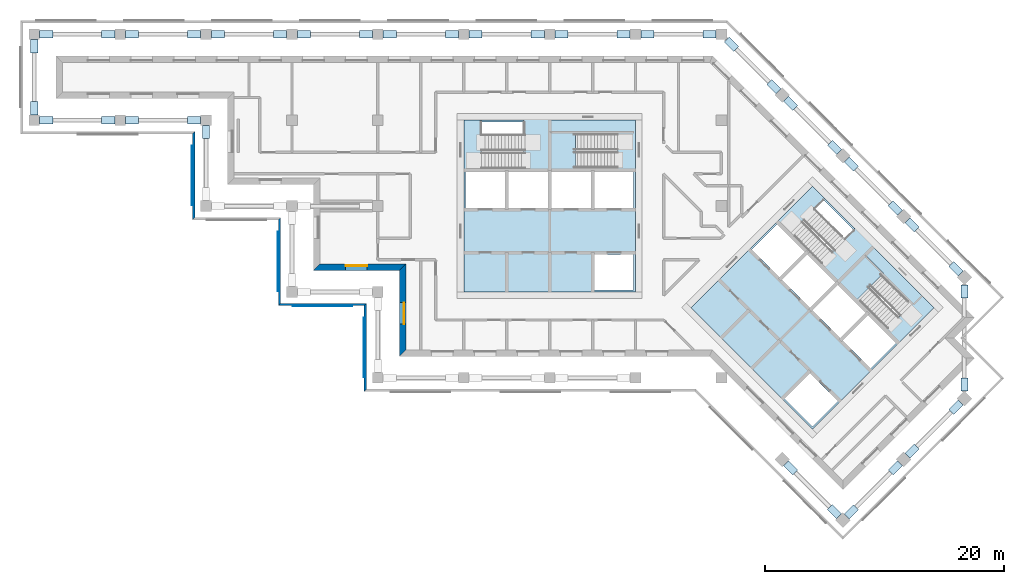
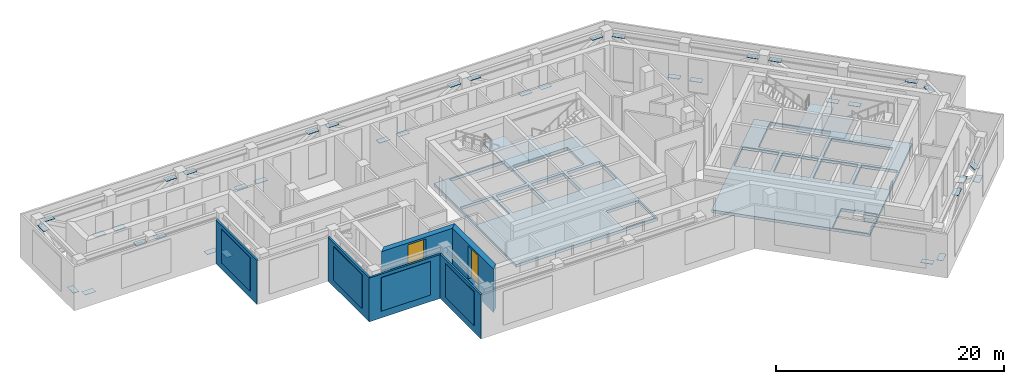
# One storey, part 2 of 10: 43 plates, 6 slabs, 6 walls, 2 windows, 16 openings, 4 elements without a shape of their own.
"""IFC4 building model written with IfcOpenShell, lengths in metres."""

from ifc_helpers import new_model, si_unit, direction, frame, frame_2d, origin, origin_2d, place, context, subcontext, project, spatial, polyline, rectangle, outline, extrude, material, layer, layer_set, type_object, element, fill, aggregate, save


model = new_model("IFC4")

# Units and contexts
model_context = context("Model", 3, precision=1e-05, world=origin(), true_north=direction((0.0, 1.0)))
body_context = subcontext(model_context, "Body", "Model", "MODEL_VIEW")
ifc_project = project(units=[si_unit("LENGTHUNIT", "METRE"), si_unit("AREAUNIT", "SQUARE_METRE"), si_unit("VOLUMEUNIT", "CUBIC_METRE"), si_unit("PLANEANGLEUNIT", "RADIAN"), si_unit("MASSUNIT", "GRAM", prefix="KILO")], contexts=[model_context])

# Plate
ifc_material_1 = material(Name="Aluminium louvre", Category="aluminium")
ifc_layer_1 = layer(ifc_material_1, 0.05)
ifc_layer_set_1 = layer_set([ifc_layer_1], Name="Belt louvre panel 5000x3600")
plate_type_1 = type_object("IfcPlateType", Name="Belt louvre panel 5000x3600", PredefinedType="SHEET", material=ifc_layer_set_1)
site_placement = place(None, origin())
building_placement = place(site_placement, origin())
storey_placement = place(building_placement, frame((0.0, 0.0, 180.4)))
plate_1_placement = place(storey_placement, frame((34.8, 62.65, 0.75), z_axis=(-1.0, 0.0, 0.0), x_axis=(0.0, -1.0, 0.0)))
plate_1 = element("IfcPlate", 1, at=plate_1_placement, type_object=plate_type_1, Name="Belt louvre panel L49 43.1", PredefinedType="SHEET", context=body_context, shape_type="SweptSolid", body=[
    extrude(outline(polyline([(0.0, 0.0), (5.0, 0.0), (5.0, 3.6), (0.0, 3.6), (0.0, 0.0)])), origin(), (0.0, 0.0, -1.0), 0.05),
])

plate_2_placement = place(storey_placement, frame((42.0, 55.45, 0.75), z_axis=(-1.0, 0.0, 0.0), x_axis=(0.0, -1.0, 0.0)))
plate_2 = element("IfcPlate", 2, at=plate_2_placement, type_object=plate_type_1, Name="Belt louvre panel L49 51.1", PredefinedType="SHEET", context=body_context, shape_type="SweptSolid", body=[
    extrude(outline(polyline([(0.0, 0.0), (5.0, 0.0), (5.0, 3.6), (0.0, 3.6), (0.0, 0.0)])), origin(), (0.0, 0.0, -1.0), 0.05),
])

plate_3_placement = place(storey_placement, frame((43.25, 49.2, 0.75), z_axis=(0.0, -1.0, 0.0), x_axis=(1.0, 0.0, 0.0)))
plate_3 = element("IfcPlate", 3, at=plate_3_placement, type_object=plate_type_1, Name="Belt louvre panel L49 55.1", PredefinedType="SHEET", context=body_context, shape_type="SweptSolid", body=[
    extrude(outline(polyline([(0.0, 0.0), (5.0, 0.0), (5.0, 3.6), (0.0, 3.6), (0.0, 0.0)])), origin(), (0.0, 0.0, -1.0), 0.05),
])

plate_4_placement = place(storey_placement, frame((49.2, 48.25, 0.75), z_axis=(-1.0, 0.0, 0.0), x_axis=(0.0, -1.0, 0.0)))
plate_4 = element("IfcPlate", 4, at=plate_4_placement, type_object=plate_type_1, Name="Belt louvre panel L49 59.1", PredefinedType="SHEET", context=body_context, shape_type="SweptSolid", body=[
    extrude(outline(polyline([(0.0, 0.0), (5.0, 0.0), (5.0, 3.6), (0.0, 3.6), (0.0, 0.0)])), origin(), (0.0, 0.0, -1.0), 0.05),
])

# Site, building, storey
site = spatial("IfcSite", under=ifc_project, at=site_placement, CompositionType="ELEMENT")
building = spatial("IfcBuilding", under=site, at=building_placement, Name="Windrow Commons", CompositionType="ELEMENT")
storey = spatial("IfcBuildingStorey", under=building, at=storey_placement, Name="L49", CompositionType="ELEMENT", Elevation=180.4)

# Slab, openings
ifc_material_2 = material(Name="Concrete C50/60", Category="concrete")
ifc_layer_2 = layer(ifc_material_2, 0.3)
ifc_layer_set_2 = layer_set([ifc_layer_2], Name="CORE FLOOR SLAB 300 C50/60")
slab_type_1 = type_object("IfcSlabType", Name="CORE FLOOR SLAB 300 C50/60", PredefinedType="FLOOR", material=ifc_layer_set_2)
placement_1 = place(storey_placement, frame((0.0, 0.0, -0.3)))
slab_1 = element("IfcSlab", 5, at=placement_1, inside=storey, type_object=slab_type_1, Name="S-L49-core-A", PredefinedType="FLOOR", context=body_context, shape_type="SweptSolid", body=[
    extrude(outline(polyline([(57.6, 50.4), (72.0, 50.4), (72.0, 64.8), (57.6, 64.8), (57.6, 50.4)]), holes=[polyline([(68.55, 50.55), (71.85, 50.55), (71.85, 53.55), (68.55, 53.55), (68.55, 50.55)]), polyline([(57.75, 57.45), (61.05, 57.45), (61.05, 60.45), (57.75, 60.45), (57.75, 57.45)]), polyline([(61.35, 57.45), (64.65, 57.45), (64.65, 60.45), (61.35, 60.45), (61.35, 57.45)]), polyline([(64.95, 57.45), (68.25, 57.45), (68.25, 60.45), (64.95, 60.45), (64.95, 57.45)]), polyline([(68.55, 57.45), (71.85, 57.45), (71.85, 60.45), (68.55, 60.45), (68.55, 57.45)]), polyline([(59.1, 60.75), (64.65, 60.75), (64.65, 64.65), (59.1, 64.65), (59.1, 60.75)]), polyline([(64.95, 60.75), (70.5, 60.75), (70.5, 63.705), (64.95, 63.705), (64.95, 60.75)])]), origin(), (0.0, 0.0, 1.0), 0.3),
])
opening_1_placement = place(placement_1, origin())
element("IfcOpeningElement", 6, at=opening_1_placement, cuts=slab_1, Name="Slab opening S-L49-core-A 1", PredefinedType="OPENING", context=body_context, shape_type="SweptSolid", body=[
    extrude(outline(polyline([(68.555, 50.555), (68.555, 53.545), (71.845, 53.545), (71.845, 50.555), (68.555, 50.555)])), origin(), (0.0, 0.0, 1.0), 0.3),
])
opening_2_placement = place(placement_1, origin())
element("IfcOpeningElement", 7, at=opening_2_placement, cuts=slab_1, Name="Slab opening S-L49-core-A 2", PredefinedType="OPENING", context=body_context, shape_type="SweptSolid", body=[
    extrude(outline(polyline([(57.755, 57.455), (57.755, 60.445), (61.045, 60.445), (61.045, 57.455), (57.755, 57.455)])), origin(), (0.0, 0.0, 1.0), 0.3),
])
opening_3_placement = place(placement_1, origin())
element("IfcOpeningElement", 8, at=opening_3_placement, cuts=slab_1, Name="Slab opening S-L49-core-A 3", PredefinedType="OPENING", context=body_context, shape_type="SweptSolid", body=[
    extrude(outline(polyline([(61.355, 57.455), (61.355, 60.445), (64.645, 60.445), (64.645, 57.455), (61.355, 57.455)])), origin(), (0.0, 0.0, 1.0), 0.3),
])
opening_4_placement = place(placement_1, origin())
element("IfcOpeningElement", 9, at=opening_4_placement, cuts=slab_1, Name="Slab opening S-L49-core-A 4", PredefinedType="OPENING", context=body_context, shape_type="SweptSolid", body=[
    extrude(outline(polyline([(64.955, 57.455), (64.955, 60.445), (68.245, 60.445), (68.245, 57.455), (64.955, 57.455)])), origin(), (0.0, 0.0, 1.0), 0.3),
])
opening_5_placement = place(placement_1, origin())
element("IfcOpeningElement", 10, at=opening_5_placement, cuts=slab_1, Name="Slab opening S-L49-core-A 5", PredefinedType="OPENING", context=body_context, shape_type="SweptSolid", body=[
    extrude(outline(polyline([(68.555, 57.455), (68.555, 60.445), (71.845, 60.445), (71.845, 57.455), (68.555, 57.455)])), origin(), (0.0, 0.0, 1.0), 0.3),
])
opening_6_placement = place(placement_1, origin())
element("IfcOpeningElement", 11, at=opening_6_placement, cuts=slab_1, Name="Slab opening S-L49-core-A 6", PredefinedType="OPENING", context=body_context, shape_type="SweptSolid", body=[
    extrude(outline(polyline([(59.105, 60.755), (59.105, 64.645), (64.645, 64.645), (64.645, 60.755), (59.105, 60.755)])), origin(), (0.0, 0.0, 1.0), 0.3),
])
opening_7_placement = place(placement_1, origin())
element("IfcOpeningElement", 12, at=opening_7_placement, cuts=slab_1, Name="Slab opening S-L49-core-A 7", PredefinedType="OPENING", context=body_context, shape_type="SweptSolid", body=[
    extrude(outline(polyline([(64.955, 60.755), (64.955, 63.7), (70.495, 63.7), (70.495, 60.755), (64.955, 60.755)])), origin(), (0.0, 0.0, 1.0), 0.3),
])

slab_2 = element("IfcSlab", 13, at=placement_1, inside=storey, type_object=slab_type_1, Name="S-L49-core-B", PredefinedType="FLOOR", context=body_context, shape_type="SweptSolid", body=[
    extrude(outline(polyline([(76.6544, 49.0897), (86.8368, 38.9074), (97.0191, 49.0897), (86.8368, 59.2721), (76.6544, 49.0897)]), holes=[polyline([(84.5033, 41.453), (86.8368, 39.1195), (88.9581, 41.2409), (86.6246, 43.5743), (84.5033, 41.453)]), polyline([(81.7456, 53.9688), (84.079, 51.6353), (86.2004, 53.7566), (83.8669, 56.0901), (81.7456, 53.9688)]), polyline([(84.2912, 51.4232), (86.6246, 49.0897), (88.7459, 51.2111), (86.4125, 53.5445), (84.2912, 51.4232)]), polyline([(86.8368, 48.8776), (89.1702, 46.5442), (91.2915, 48.6655), (88.9581, 50.9989), (86.8368, 48.8776)]), polyline([(89.3823, 46.332), (91.7158, 43.9986), (93.8371, 46.1199), (91.5037, 48.4533), (89.3823, 46.332)]), polyline([(85.0336, 55.3476), (88.9581, 51.4232), (91.7158, 54.1809), (87.7913, 58.1054), (85.0336, 55.3476)]), polyline([(89.1702, 51.2111), (93.0946, 47.2866), (95.1841, 49.3761), (91.2597, 53.3006), (89.1702, 51.2111)])]), origin(), (0.0, 0.0, 1.0), 0.3),
])
opening_8_placement = place(placement_1, origin())
element("IfcOpeningElement", 14, at=opening_8_placement, cuts=slab_2, Name="Slab opening S-L49-core-B 1", PredefinedType="OPENING", context=body_context, shape_type="SweptSolid", body=[
    extrude(outline(polyline([(84.5104, 41.453), (86.6246, 43.5672), (88.951, 41.2409), (86.8368, 39.1266), (84.5104, 41.453)])), origin(), (0.0, 0.0, 1.0), 0.3),
])
opening_9_placement = place(placement_1, origin())
element("IfcOpeningElement", 15, at=opening_9_placement, cuts=slab_2, Name="Slab opening S-L49-core-B 2", PredefinedType="OPENING", context=body_context, shape_type="SweptSolid", body=[
    extrude(outline(polyline([(81.7527, 53.9688), (83.8669, 56.083), (86.1933, 53.7566), (84.079, 51.6424), (81.7527, 53.9688)])), origin(), (0.0, 0.0, 1.0), 0.3),
])
opening_10_placement = place(placement_1, origin())
element("IfcOpeningElement", 16, at=opening_10_placement, cuts=slab_2, Name="Slab opening S-L49-core-B 3", PredefinedType="OPENING", context=body_context, shape_type="SweptSolid", body=[
    extrude(outline(polyline([(84.2983, 51.4232), (86.4125, 53.5374), (88.7388, 51.2111), (86.6246, 49.0968), (84.2983, 51.4232)])), origin(), (0.0, 0.0, 1.0), 0.3),
])
opening_11_placement = place(placement_1, origin())
element("IfcOpeningElement", 17, at=opening_11_placement, cuts=slab_2, Name="Slab opening S-L49-core-B 4", PredefinedType="OPENING", context=body_context, shape_type="SweptSolid", body=[
    extrude(outline(polyline([(86.8439, 48.8776), (88.9581, 50.9918), (91.2844, 48.6655), (89.1702, 46.5513), (86.8439, 48.8776)])), origin(), (0.0, 0.0, 1.0), 0.3),
])
opening_12_placement = place(placement_1, origin())
element("IfcOpeningElement", 18, at=opening_12_placement, cuts=slab_2, Name="Slab opening S-L49-core-B 5", PredefinedType="OPENING", context=body_context, shape_type="SweptSolid", body=[
    extrude(outline(polyline([(89.3894, 46.332), (91.5037, 48.4462), (93.83, 46.1199), (91.7158, 44.0057), (89.3894, 46.332)])), origin(), (0.0, 0.0, 1.0), 0.3),
])
opening_13_placement = place(placement_1, origin())
element("IfcOpeningElement", 19, at=opening_13_placement, cuts=slab_2, Name="Slab opening S-L49-core-B 6", PredefinedType="OPENING", context=body_context, shape_type="SweptSolid", body=[
    extrude(outline(polyline([(85.0407, 55.3476), (87.7913, 58.0983), (91.7087, 54.1809), (88.9581, 51.4303), (85.0407, 55.3476)])), origin(), (0.0, 0.0, 1.0), 0.3),
])
opening_14_placement = place(placement_1, origin())
element("IfcOpeningElement", 20, at=opening_14_placement, cuts=slab_2, Name="Slab opening S-L49-core-B 7", PredefinedType="OPENING", context=body_context, shape_type="SweptSolid", body=[
    extrude(outline(polyline([(89.1773, 51.2111), (91.2597, 53.2935), (95.177, 49.3761), (93.0946, 47.2937), (89.1773, 51.2111)])), origin(), (0.0, 0.0, 1.0), 0.3),
])

# Stair, slab
ifc_material_3 = material(Name="Concrete C40/50", Category="concrete")
stair_type = type_object("IfcStairType", Name="Core stair", PredefinedType="HALF_TURN_STAIR", material=ifc_material_3)
placement_2 = place(storey_placement, origin())
stair_1 = element("IfcStair", 21, at=placement_2, inside=storey, type_object=stair_type, Name="L49 Exit stair A1 core A", PredefinedType="HALF_TURN_STAIR")
ifc_material_4 = material(Name="Concrete C40/50", Category="concrete")
ifc_layer_3 = layer(ifc_material_4, 0.2)
ifc_layer_set_3 = layer_set([ifc_layer_3], Name="Core stair landing")
slab_type_2 = type_object("IfcSlabType", Name="Core stair landing", PredefinedType="LANDING", material=ifc_layer_set_3)
placement_3 = place(storey_placement, frame((0.0, 0.0, 2.3)))
slab_3 = element("IfcSlab", 22, at=placement_3, type_object=slab_type_2, Name="ST-A1 landing 1", PredefinedType="LANDING", context=body_context, shape_type="SweptSolid", body=[
    extrude(outline(polyline([(62.62, 60.5), (64.8, 60.5), (64.8, 64.9), (62.62, 64.9), (62.62, 60.5)])), origin(), (0.0, 0.0, 1.0), 0.2),
])
aggregate(stair_1, [slab_3])

stair_2 = element("IfcStair", 23, at=placement_2, inside=storey, type_object=stair_type, Name="L49 Exit stair A2 core A", PredefinedType="HALF_TURN_STAIR")
slab_4 = element("IfcSlab", 24, at=placement_3, type_object=slab_type_2, Name="ST-A2 landing 1", PredefinedType="LANDING", context=body_context, shape_type="SweptSolid", body=[
    extrude(outline(polyline([(64.8, 60.5), (66.98, 60.5), (66.98, 63.855), (64.8, 63.855), (64.8, 60.5)])), origin(), (0.0, 0.0, 1.0), 0.2),
])
aggregate(stair_2, [slab_4])

stair_3 = element("IfcStair", 25, at=placement_2, inside=storey, type_object=stair_type, Name="L49 Exit stair B1 core B", PredefinedType="HALF_TURN_STAIR")
slab_5 = element("IfcSlab", 26, at=placement_3, type_object=slab_type_2, Name="ST-B1 landing 1", PredefinedType="LANDING", context=body_context, shape_type="SweptSolid", body=[
    extrude(outline(polyline([(87.3459, 52.6819), (88.8874, 51.1403), (91.9986, 54.2516), (90.4571, 55.7931), (87.3459, 52.6819)])), origin(), (0.0, 0.0, 1.0), 0.2),
])
aggregate(stair_3, [slab_5])

stair_4 = element("IfcStair", 27, at=placement_2, inside=storey, type_object=stair_type, Name="L49 Exit stair B2 core B", PredefinedType="HALF_TURN_STAIR")
slab_6 = element("IfcSlab", 28, at=placement_3, type_object=slab_type_2, Name="ST-B2 landing 1", PredefinedType="LANDING", context=body_context, shape_type="SweptSolid", body=[
    extrude(outline(polyline([(88.8874, 51.1403), (90.4289, 49.5989), (92.8012, 51.9712), (91.2597, 53.5127), (88.8874, 51.1403)])), origin(), (0.0, 0.0, 1.0), 0.2),
])
aggregate(stair_4, [slab_6])

# Plates
ifc_material_5 = material(Name="Steel S355", Category="steel")
ifc_layer_4 = layer(ifc_material_5, 0.03)
ifc_layer_set_4 = layer_set([ifc_layer_4], Name="GUSSET PLATE 30 S355")
plate_type_2 = type_object("IfcPlateType", Name="GUSSET PLATE 30 S355", PredefinedType="USERDEFINED", material=ifc_layer_set_4)
for number, where, z_axis, x_axis, name in (
    (29, (36.0, 63.8, 0.6), (0.0, 0.0, 1.0), (0.0, 1.0, 0.0), "Gusset plate L49 belt00 14"),
    (30, (35.0, 64.8, 0.6), (0.0, 0.0, 1.0), (-1.0, 0.0, 0.0), "Gusset plate L49 belt00 15"),
    (31, (29.8, 64.8, 4.07), (0.0, 0.0, 1.0), (-1.0, 0.0, 0.0), "Gusset plate L49 belt00 16"),
    (32, (27.8, 64.8, 4.07), (0.0, 0.0, 1.0), (-1.0, 0.0, 0.0), "Gusset plate L49 belt00 17"),
    (33, (22.6, 64.8, 0.6), (0.0, 0.0, 1.0), (-1.0, 0.0, 0.0), "Gusset plate L49 belt00 18"),
    (34, (21.6, 65.8, 0.6), (0.0, 0.0, 1.0), (0.0, 1.0, 0.0), "Gusset plate L49 belt00 19"),
    (35, (21.6, 71.0, 4.07), (0.0, 0.0, 1.0), (0.0, 1.0, 0.0), "Gusset plate L49 belt00 20"),
    (36, (22.6, 72.0, 4.07), (0.0, 0.0, 1.0), (1.0, 0.0, 0.0), "Gusset plate L49 belt00 21"),
    (37, (27.8, 72.0, 0.6), (0.0, 0.0, 1.0), (1.0, 0.0, 0.0), "Gusset plate L49 belt00 22"),
    (38, (29.8, 72.0, 0.6), (0.0, 0.0, 1.0), (1.0, 0.0, 0.0), "Gusset plate L49 belt00 23"),
    (39, (35.0, 72.0, 4.07), (0.0, 0.0, 1.0), (1.0, 0.0, 0.0), "Gusset plate L49 belt00 24"),
    (40, (37.0, 72.0, 4.07), (0.0, 0.0, 1.0), (1.0, 0.0, 0.0), "Gusset plate L49 belt00 25"),
    (41, (42.2, 72.0, 0.6), (0.0, 0.0, 1.0), (1.0, 0.0, 0.0), "Gusset plate L49 belt00 26"),
    (42, (44.2, 72.0, 0.6), (0.0, 0.0, 1.0), (1.0, 0.0, 0.0), "Gusset plate L49 belt00 27"),
    (43, (49.4, 72.0, 4.07), (0.0, 0.0, 1.0), (1.0, 0.0, 0.0), "Gusset plate L49 belt00 28"),
    (44, (51.4, 72.0, 4.07), (0.0, 0.0, 1.0), (1.0, 0.0, 0.0), "Gusset plate L49 belt00 29"),
    (45, (56.6, 72.0, 0.6), (0.0, 0.0, 1.0), (1.0, 0.0, 0.0), "Gusset plate L49 belt00 30"),
    (46, (58.6, 72.0, 0.6), (0.0, 0.0, 1.0), (1.0, 0.0, 0.0), "Gusset plate L49 belt00 31"),
    (47, (63.8, 72.0, 4.07), (0.0, 0.0, 1.0), (1.0, 0.0, 0.0), "Gusset plate L49 belt00 32"),
    (48, (65.8, 72.0, 4.07), (0.0, 0.0, 1.0), (1.0, 0.0, 0.0), "Gusset plate L49 belt00 33"),
    (49, (71.0, 72.0, 0.6), (0.0, 0.0, 1.0), (1.0, 0.0, 0.0), "Gusset plate L49 belt00 34"),
    (50, (73.0, 72.0, 0.6), (0.0, 0.0, 1.0), (1.0, 0.0, 0.0), "Gusset plate L49 belt00 35"),
    (51, (78.2, 72.0, 4.07), (0.0, 0.0, 1.0), (1.0, 0.0, 0.0), "Gusset plate L49 belt00 36"),
    (52, (80.0389, 71.1611, 4.07), (0.0, 0.0, 1.0), (0.7071067812, -0.7071067812, 0.0), "Gusset plate L49 belt00 37"),
    (53, (83.5841, 67.6159, 0.6), (0.0, 0.0, 1.0), (0.7071067812, -0.7071067812, 0.0), "Gusset plate L49 belt00 38"),
    (54, (84.9983, 66.2017, 0.6), (0.0, 0.0, 1.0), (0.7071067812, -0.7071067812, 0.0), "Gusset plate L49 belt00 39"),
    (55, (88.6752, 62.5248, 4.07), (0.0, 0.0, 1.0), (0.7071067812, -0.7071067812, 0.0), "Gusset plate L49 belt00 40"),
    (56, (90.0894, 61.1106, 4.07), (0.0, 0.0, 1.0), (0.7071067812, -0.7071067812, 0.0), "Gusset plate L49 belt00 41"),
    (57, (93.7664, 57.4336, 0.6), (0.0, 0.0, 1.0), (0.7071067812, -0.7071067812, 0.0), "Gusset plate L49 belt00 42"),
    (58, (95.1806, 56.0194, 0.6), (0.0, 0.0, 1.0), (0.7071067812, -0.7071067812, 0.0), "Gusset plate L49 belt00 43"),
    (59, (98.8576, 52.3424, 4.07), (0.0, 0.0, 1.0), (0.7071067812, -0.7071067812, 0.0), "Gusset plate L49 belt00 44"),
    (60, (99.5647, 50.4489, 4.07), (0.0, 0.0, 1.0), (0.0, -1.0, 0.0), "Gusset plate L49 belt00 45"),
    (61, (99.5647, 42.6394, 0.6), (0.0, 0.0, 1.0), (0.0, -1.0, 0.0), "Gusset plate L49 belt00 46"),
    (62, (98.8576, 40.7459, 0.6), (0.0, 0.0, 1.0), (-0.7071067812, -0.7071067812, 0.0), "Gusset plate L49 belt00 47"),
    (63, (95.1806, 37.0689, 4.07), (0.0, 0.0, 1.0), (-0.7071067812, -0.7071067812, 0.0), "Gusset plate L49 belt00 48"),
    (64, (93.7664, 35.6547, 4.07), (0.0, 0.0, 1.0), (-0.7071067812, -0.7071067812, 0.0), "Gusset plate L49 belt00 49"),
    (65, (90.0894, 31.9777, 0.6), (0.0, 0.0, 1.0), (-0.7071067812, -0.7071067812, 0.0), "Gusset plate L49 belt00 50"),
    (66, (88.6752, 31.9777, 0.6), (0.0, 0.0, 1.0), (-0.7070993763, 0.707114186, 0.0), "Gusset plate L49 belt00 51"),
    (67, (84.9983, 35.6547, 4.07), (0.0, 0.0, 1.0), (-0.7070993763, 0.707114186, 0.0), "Gusset plate L49 belt00 52"),
):
    element("IfcPlate", number, at=place(storey_placement, frame(where, z_axis=z_axis, x_axis=x_axis)), inside=storey, type_object=plate_type_2, Name=name, ObjectType="GUSSET PLATE", PredefinedType="USERDEFINED", context=body_context, shape_type="SweptSolid", body=[
        extrude(rectangle(XDim=1.1, YDim=0.6, at=origin_2d()), origin(), (0.0, 0.0, 1.0), 0.03),
    ])

# Wall
ifc_material_6 = material(Name="Concrete C40/50 precast screen panel", Category="concrete")
ifc_layer_5 = layer(ifc_material_6, 0.2)
ifc_layer_set_5 = layer_set([ifc_layer_5], Name="Belt screen wall 200")
wall_type_1 = type_object("IfcWallType", Name="Belt screen wall 200", PredefinedType="SOLIDWALL", material=ifc_layer_set_5)
wall_1_placement = place(storey_placement, frame((34.95, 63.75, 0.0), z_axis=(0.0, 0.0, 1.0), x_axis=(0.0, -1.0, 0.0)))
wall_1 = element("IfcWall", 68, at=wall_1_placement, inside=storey, type_object=wall_type_1, Name="Belt screen wall L49 43", PredefinedType="SOLIDWALL", context=body_context, shape_type="SweptSolid", body=[
    extrude(outline(polyline([(0.1, -0.1), (7.3, -0.1), (7.1, 0.1), (-0.1, 0.1), (0.1, -0.1)])), origin(), (0.0, 0.0, 1.0), 4.7),
])

aggregate(wall_1, [plate_1])

wall_2_placement = place(storey_placement, frame((42.15, 56.55, 0.0), z_axis=(0.0, 0.0, 1.0), x_axis=(0.0, -1.0, 0.0)))
wall_2 = element("IfcWall", 69, at=wall_2_placement, inside=storey, type_object=wall_type_1, Name="Belt screen wall L49 51", PredefinedType="SOLIDWALL", context=body_context, shape_type="SweptSolid", body=[
    extrude(outline(polyline([(0.1, -0.1), (7.3, -0.1), (7.1, 0.1), (-0.1, 0.1), (0.1, -0.1)])), origin(), (0.0, 0.0, 1.0), 4.7),
])

aggregate(wall_2, [plate_2])

wall_3_placement = place(storey_placement, frame((42.15, 49.35, 0.0), z_axis=(0.0, 0.0, 1.0), x_axis=(1.0, 0.0, 0.0)))
wall_3 = element("IfcWall", 70, at=wall_3_placement, inside=storey, type_object=wall_type_1, Name="Belt screen wall L49 55", PredefinedType="SOLIDWALL", context=body_context, shape_type="SweptSolid", body=[
    extrude(outline(polyline([(-0.1, -0.1), (7.1, -0.1), (7.3, 0.1), (0.1, 0.1), (-0.1, -0.1)])), origin(), (0.0, 0.0, 1.0), 4.7),
])

aggregate(wall_3, [plate_3])

wall_4_placement = place(storey_placement, frame((49.35, 49.35, 0.0), z_axis=(0.0, 0.0, 1.0), x_axis=(0.0, -1.0, 0.0)))
wall_4 = element("IfcWall", 71, at=wall_4_placement, inside=storey, type_object=wall_type_1, Name="Belt screen wall L49 59", PredefinedType="SOLIDWALL", context=body_context, shape_type="SweptSolid", body=[
    extrude(outline(polyline([(0.1, -0.1), (7.3, -0.1), (7.1, 0.1), (-0.1, 0.1), (0.1, -0.1)])), origin(), (0.0, 0.0, 1.0), 4.7),
])

aggregate(wall_4, [plate_4])

# Wall, opening, window
ifc_material_7 = material(Name="Brick masonry, red clay brick", Category="masonry")
ifc_layer_6 = layer(ifc_material_7, 0.55)
ifc_layer_set_6 = layer_set([ifc_layer_6], Name="Brick facade wall 550")
wall_type_2 = type_object("IfcWallType", Name="Brick facade wall 550", PredefinedType="SOLIDWALL", material=ifc_layer_set_6)
wall_5_placement = place(storey_placement, frame((45.275, 52.475, 0.0), z_axis=(0.0, 0.0, 1.0), x_axis=(1.0, 0.0, 0.0)))
wall_5 = element("IfcWall", 72, at=wall_5_placement, inside=storey, type_object=wall_type_2, Name="Brick facade wall L49 10", PredefinedType="SOLIDWALL", context=body_context, shape_type="SweptSolid", body=[
    extrude(outline(polyline([(-0.275, -0.275), (6.925, -0.275), (7.475, 0.275), (0.275, 0.275), (-0.275, -0.275)])), origin(), (0.0, 0.0, 1.0), 4.7),
])
opening_15_placement = place(wall_5_placement, frame((2.425, 0.0, 0.9)))
opening_15 = element("IfcOpeningElement", 73, at=opening_15_placement, cuts=wall_5, Name="Opening LV2", PredefinedType="OPENING", context=body_context, shape_type="SweptSolid", body=[
    extrude(rectangle(XDim=1.8, YDim=3.6, at=frame_2d((0.9, 1.8))), frame((0.0, 0.285, 0.0), z_axis=(0.0, -1.0, 0.0), x_axis=(1.0, 0.0, 0.0)), (0.0, 0.0, 1.0), 0.57),
])
ifc_material_8 = material(Name="Aluminium 6063-T6 anodised louvre", Category="aluminium")
window_type = type_object("IfcWindowType", Name="Plant louvre 1800x3600", PartitioningType="SINGLE_PANEL", PredefinedType="WINDOW", material=ifc_material_8)
window_1_placement = place(opening_15_placement, origin())
window_1 = element("IfcWindow", 74, at=window_1_placement, inside=storey, type_object=window_type, Name="Louvre L49 10.1", OverallHeight=3.6, OverallWidth=1.8, PartitioningType="SINGLE_PANEL", PredefinedType="WINDOW", context=body_context, shape_type="SweptSolid", body=[
    extrude(rectangle(XDim=1.8, YDim=3.6, at=frame_2d((0.9, 1.8))), frame((0.0, 0.155, 0.0), z_axis=(0.0, -1.0, 0.0), x_axis=(1.0, 0.0, 0.0)), (0.0, 0.0, 1.0), 0.06),
])
fill(opening_15, window_1)

wall_6_placement = place(storey_placement, frame((52.475, 52.475, 0.0), z_axis=(0.0, 0.0, 1.0), x_axis=(0.0, -1.0, 0.0)))
wall_6 = element("IfcWall", 75, at=wall_6_placement, inside=storey, type_object=wall_type_2, Name="Brick facade wall L49 11", PredefinedType="SOLIDWALL", context=body_context, shape_type="SweptSolid", body=[
    extrude(outline(polyline([(0.275, -0.275), (7.475, -0.275), (6.925, 0.275), (-0.275, 0.275), (0.275, -0.275)])), origin(), (0.0, 0.0, 1.0), 4.7),
])
opening_16_placement = place(wall_6_placement, frame((2.975, 0.0, 0.9)))
opening_16 = element("IfcOpeningElement", 76, at=opening_16_placement, cuts=wall_6, Name="Opening LV2", PredefinedType="OPENING", context=body_context, shape_type="SweptSolid", body=[
    extrude(rectangle(XDim=1.8, YDim=3.6, at=frame_2d((0.9, 1.8))), frame((0.0, 0.285, 0.0), z_axis=(0.0, -1.0, 0.0), x_axis=(1.0, 0.0, 0.0)), (0.0, 0.0, 1.0), 0.57),
])
window_2_placement = place(opening_16_placement, origin())
window_2 = element("IfcWindow", 77, at=window_2_placement, inside=storey, type_object=window_type, Name="Louvre L49 11.1", OverallHeight=3.6, OverallWidth=1.8, PartitioningType="SINGLE_PANEL", PredefinedType="WINDOW", context=body_context, shape_type="SweptSolid", body=[
    extrude(rectangle(XDim=1.8, YDim=3.6, at=frame_2d((0.9, 1.8))), frame((0.0, 0.155, 0.0), z_axis=(0.0, -1.0, 0.0), x_axis=(1.0, 0.0, 0.0)), (0.0, 0.0, 1.0), 0.06),
])
fill(opening_16, window_2)

save(model, "model.ifc")
